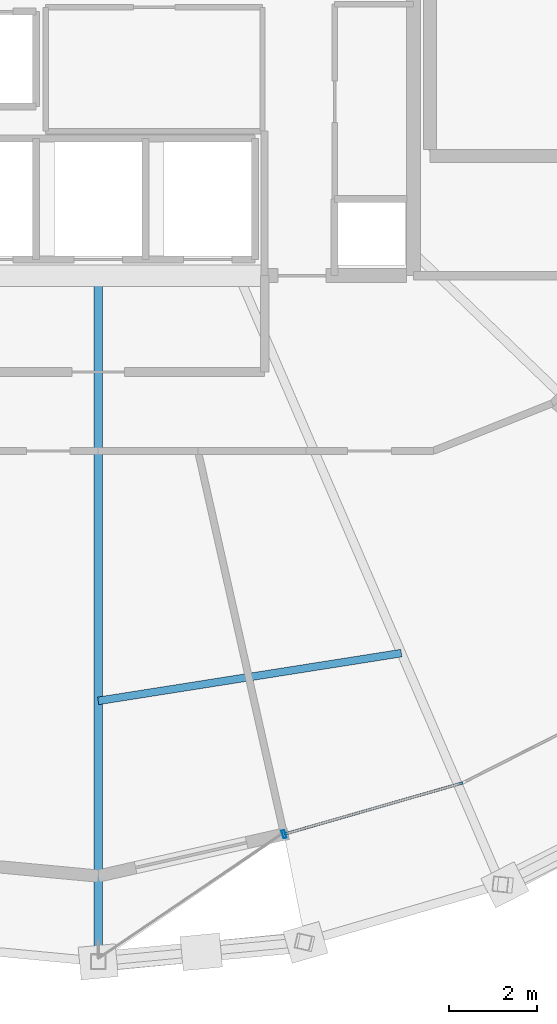
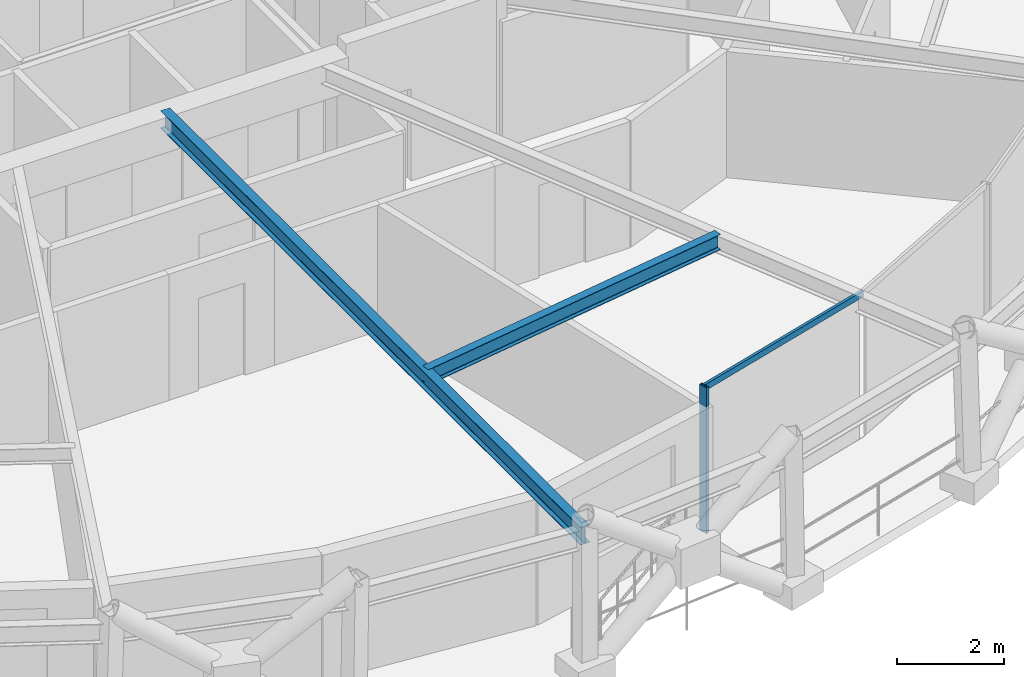
# One storey, part 2 of 18: 2 beams, 2 members, 1 element without a shape of its own.
"""IFC4 building model written with IfcOpenShell, lengths in metres."""

from ifc_helpers import new_model, si_unit, direction, frame, origin, origin_2d, place, context, subcontext, project, spatial, hollow_rectangle, i_section, extrude, material, layer, layer_set, material_profile, profile_set, type_object, element, aggregate, save


model = new_model("IFC4")

# Units and contexts
model_context = context("Model", 3, precision=1e-05, world=origin(), true_north=direction((0.0, 1.0)))
body_context = subcontext(model_context, "Body", "Model", "MODEL_VIEW")
ifc_project = project(units=[si_unit("LENGTHUNIT", "METRE"), si_unit("AREAUNIT", "SQUARE_METRE"), si_unit("VOLUMEUNIT", "CUBIC_METRE"), si_unit("PLANEANGLEUNIT", "RADIAN"), si_unit("MASSUNIT", "GRAM", prefix="KILO")], contexts=[model_context])

# Site, building, storey
site_placement = place(None, origin())
site = spatial("IfcSite", under=ifc_project, at=site_placement, CompositionType="ELEMENT")
building_placement = place(site_placement, origin())
building = spatial("IfcBuilding", under=site, at=building_placement, Name="Veldorina Hangang Commons", CompositionType="ELEMENT")
storey_placement = place(building_placement, frame((0.0, 0.0, 232.800048828125)))
storey = spatial("IfcBuildingStorey", under=building, at=storey_placement, Name="L60", CompositionType="ELEMENT", Elevation=232.800048828125)

# Beams
ifc_material_1 = material(Name="Steel SM355-TMC", Category="steel")
ifc_material_profile_1 = material_profile(ifc_material_1, i_section(OverallWidth=0.199951171875, OverallDepth=0.39990234375, WebThickness=0.008056640625, FlangeThickness=0.012939453125, FilletRadius=0.012939453125, at=origin_2d()), Name="H-400x200x8x13")
ifc_profile_set_1 = profile_set([ifc_material_profile_1], Name="Steel SM355-TMC")
beam_type_1 = type_object("IfcBeamType", Name="BM-FG400", PredefinedType="BEAM", material=ifc_profile_set_1)
beam_1_placement = place(storey_placement, frame((32.0, 16.550048828125, 3.159912109375), z_axis=(0.0, -1.0, 0.0), x_axis=(1.0, 0.0, 0.0)))
element("IfcBeam", 1, at=beam_1_placement, inside=storey, type_object=beam_type_1, Name="L60 radial floor girder 13", PredefinedType="BEAM", context=body_context, shape_type="SweptSolid", body=[
    extrude(i_section(OverallWidth=0.199951171875, OverallDepth=0.39990234375, WebThickness=0.008056640625, FlangeThickness=0.012939453125, FilletRadius=0.012939453125, at=origin_2d()), origin(), (0.0, 0.0, 1.0), 15.65771484375),
])
ifc_material_profile_2 = material_profile(ifc_material_1, i_section(OverallWidth=0.175048828125, OverallDepth=0.35009765625, WebThickness=0.007080078125, FlangeThickness=0.010986328125, FilletRadius=0.012939453125, at=origin_2d()), Name="H-350x175x7x11")
ifc_profile_set_2 = profile_set([ifc_material_profile_2], Name="Steel SM355-TMC")
beam_type_2 = type_object("IfcBeamType", Name="BM-JST350", PredefinedType="JOIST", material=ifc_profile_set_2)
beam_2_placement = place(storey_placement, frame((32.0, 6.84228515625, 3.18505859375), z_axis=(0.987812075525, 0.155651223725, 0.0), x_axis=(-0.155651223725, 0.987812075525, 0.0)))
element("IfcBeam", 2, at=beam_2_placement, inside=storey, type_object=beam_type_2, Name="L60 secondary floor joist 13", PredefinedType="JOIST", context=body_context, shape_type="SweptSolid", body=[
    extrude(i_section(OverallWidth=0.175048828125, OverallDepth=0.35009765625, WebThickness=0.007080078125, FlangeThickness=0.010986328125, FilletRadius=0.012939453125, at=origin_2d()), origin(), (0.0, 0.0, 1.0), 7.006591796875),
])

# Curtain wall, members
ifc_material_2 = material(Name="Glass Low-E Selective", Category="glass")
ifc_layer = layer(ifc_material_2, 0.179931640625)
ifc_layer_set = layer_set([ifc_layer], Name="Glass Low-E Selective")
curtain_wall_type = type_object("IfcCurtainWallType", Name="CW-SYS-Z3", PredefinedType="NOTDEFINED", material=ifc_layer_set)
curtain_wall_placement = place(storey_placement, origin())
curtain_wall = element("IfcCurtainWall", 3, at=curtain_wall_placement, inside=storey, type_object=curtain_wall_type, Name="L60 unitised curtain wall CW-L60-R1", PredefinedType="NOTDEFINED")
ifc_material_3 = material(Name="Aluminium Anodized AA6063-T6", Category="aluminium")
ifc_material_profile_3 = material_profile(ifc_material_3, hollow_rectangle(XDim=0.070068359375, YDim=0.179931640625, WallThickness=0.00390625, at=origin_2d()), Name="ALU-RHS-180x70x4")
ifc_profile_set_3 = profile_set([ifc_material_profile_3], Name="Aluminium Anodized AA6063-T6")
member_type_1 = type_object("IfcMemberType", Name="CW-MUL-180", PredefinedType="MULLION", material=ifc_profile_set_3)
member_1_placement = place(storey_placement, frame((36.242431640625, 3.797607421875, 0.0), z_axis=(0.0, 0.0, 1.0), x_axis=(0.961112421086, 0.276157408076, 0.0)))
member_1 = element("IfcMember", 4, at=member_1_placement, type_object=member_type_1, Name="CW-L60-R1 vertical mullion 1", PredefinedType="MULLION", context=body_context, shape_type="SweptSolid", body=[
    extrude(hollow_rectangle(XDim=0.070068359375, YDim=0.179931640625, WallThickness=0.00390625, at=origin_2d()), origin(), (0.0, 0.0, 1.0), 3.320068359375),
])
ifc_material_profile_4 = material_profile(ifc_material_3, hollow_rectangle(XDim=0.06005859375, YDim=0.139892578125, WallThickness=0.00341796875, at=origin_2d()), Name="ALU-RHS-140x60x3.5")
ifc_profile_set_4 = profile_set([ifc_material_profile_4], Name="Aluminium Anodized AA6063-T6")
member_type_2 = type_object("IfcMemberType", Name="CW-TRN-140", PredefinedType="USERDEFINED", material=ifc_profile_set_4)
member_2_placement = place(storey_placement, frame((36.242431640625, 3.797607421875, 3.280029296875), z_axis=(0.961112633908, 0.276156667388, 0.0), x_axis=(-0.276156667388, 0.961112633908, 0.0)))
member_2 = element("IfcMember", 5, at=member_2_placement, type_object=member_type_2, Name="CW-L60-R1 facet 1 transom 1", ObjectType="TRANSOM", PredefinedType="USERDEFINED", context=body_context, shape_type="SweptSolid", body=[
    extrude(hollow_rectangle(XDim=0.06005859375, YDim=0.139892578125, WallThickness=0.00341796875, at=origin_2d()), origin(), (0.0, 0.0, 1.0), 4.244384765625),
])
aggregate(curtain_wall, [member_1, member_2])

save(model, "model.ifc")
